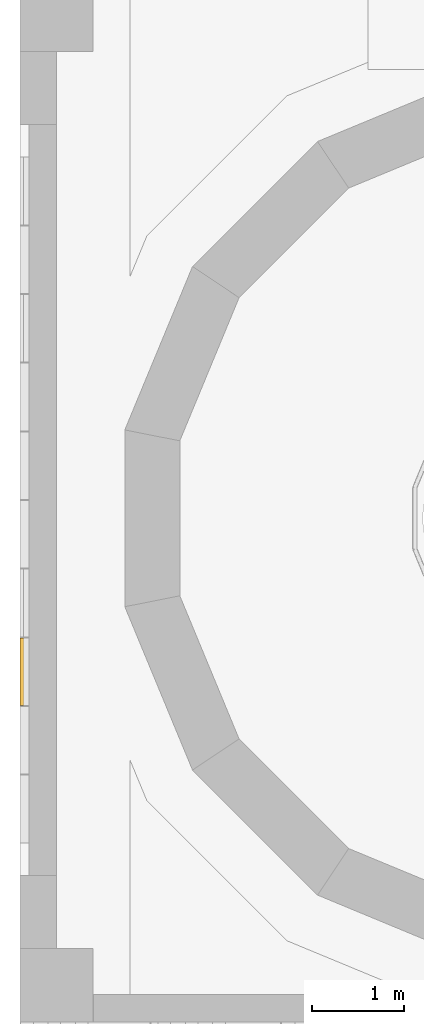
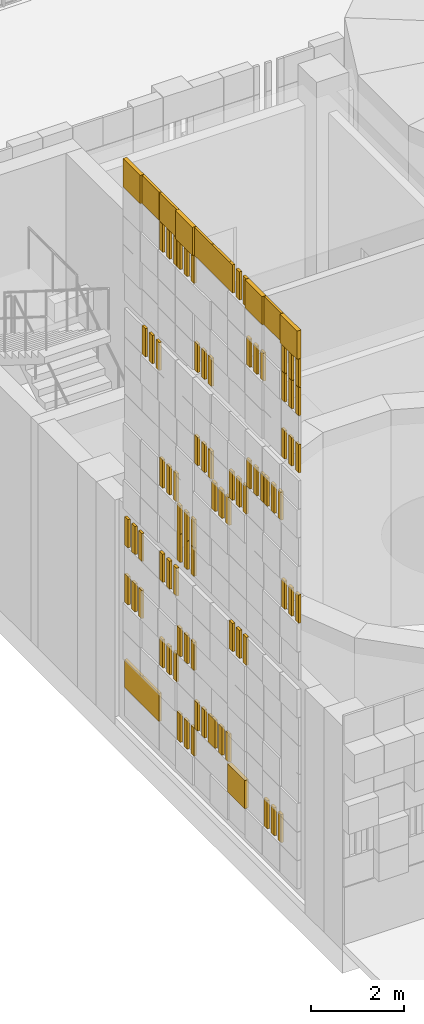
# One storey, part 72 of 125: 1 covering.
"""IFC4 building model written with IfcOpenShell, lengths in metres."""

from ifc_helpers import new_model, si_unit, direction, frame, origin, origin_2d, place, context, subcontext, project, spatial, rectangle, extrude, material, layer, layer_set, type_object, element, save


model = new_model("IFC4")

# Units and contexts
model_context = context("Model", 3, precision=1e-05, world=origin(), true_north=direction((0.0, 1.0)))
body_context = subcontext(model_context, "Body", "Model", "MODEL_VIEW")
ifc_project = project(units=[si_unit("LENGTHUNIT", "METRE"), si_unit("AREAUNIT", "SQUARE_METRE"), si_unit("VOLUMEUNIT", "CUBIC_METRE"), si_unit("PLANEANGLEUNIT", "RADIAN"), si_unit("MASSUNIT", "GRAM", prefix="KILO")], contexts=[model_context])

# Site, building, storey
site_placement = place(None, origin())
site = spatial("IfcSite", under=ifc_project, at=site_placement, CompositionType="ELEMENT")
building_placement = place(site_placement, origin())
building = spatial("IfcBuilding", under=site, at=building_placement, Name="Sun Court Science Centre", CompositionType="ELEMENT")
storey_placement = place(building_placement, origin())
storey = spatial("IfcBuildingStorey", under=building, at=storey_placement, Name="L00", CompositionType="ELEMENT", Elevation=0.0)

# Covering
ifc_material = material(Name="Terracotta jali", Category="masonry")
ifc_layer = layer(ifc_material, 0.06005859375)
ifc_layer_set = layer_set([ifc_layer], Name="Terracotta jali")
covering_type = type_object("IfcCoveringType", Name="Terracotta open jali panel", PredefinedType="CLADDING", material=ifc_layer_set)
covering_placement = place(storey_placement, origin())
element("IfcCovering", 1, at=covering_placement, inside=storey, type_object=covering_type, Name="Open jali pixel cladding west party wall L00", PredefinedType="CLADDING", context=body_context, shape_type="SweptSolid", body=[
    extrude(rectangle(XDim=0.139892578125, YDim=0.06005859375, at=origin_2d()), frame((0.070068359375, 8.77490234375, 0.97998046875), z_axis=(0.0, 0.0, 1.0), x_axis=(0.0, 1.0, 0.0)), (0.0, 0.0, 1.0), 0.739990234375),
    extrude(rectangle(XDim=0.139892578125, YDim=0.06005859375, at=origin_2d()), frame((0.070068359375, 9.074951171875, 0.97998046875), z_axis=(0.0, 0.0, 1.0), x_axis=(0.0, 1.0, 0.0)), (0.0, 0.0, 1.0), 0.739990234375),
    extrude(rectangle(XDim=0.139892578125, YDim=0.06005859375, at=origin_2d()), frame((0.070068359375, 9.375, 0.97998046875), z_axis=(0.0, 0.0, 1.0), x_axis=(0.0, 1.0, 0.0)), (0.0, 0.0, 1.0), 0.739990234375),
    extrude(rectangle(XDim=0.139892578125, YDim=0.06005859375, at=origin_2d()), frame((0.070068359375, 12.52490234375, 0.97998046875), z_axis=(0.0, 0.0, 1.0), x_axis=(0.0, 1.0, 0.0)), (0.0, 0.0, 1.0), 0.739990234375),
    extrude(rectangle(XDim=0.139892578125, YDim=0.06005859375, at=origin_2d()), frame((0.070068359375, 12.824951171875, 0.97998046875), z_axis=(0.0, 0.0, 1.0), x_axis=(0.0, 1.0, 0.0)), (0.0, 0.0, 1.0), 0.739990234375),
    extrude(rectangle(XDim=0.139892578125, YDim=0.06005859375, at=origin_2d()), frame((0.070068359375, 13.125, 0.97998046875), z_axis=(0.0, 0.0, 1.0), x_axis=(0.0, 1.0, 0.0)), (0.0, 0.0, 1.0), 0.739990234375),
    extrude(rectangle(XDim=0.139892578125, YDim=0.06005859375, at=origin_2d()), frame((0.070068359375, 11.02490234375, 1.72998046875), z_axis=(0.0, 0.0, 1.0), x_axis=(0.0, 1.0, 0.0)), (0.0, 0.0, 1.0), 0.739990234375),
    extrude(rectangle(XDim=0.139892578125, YDim=0.06005859375, at=origin_2d()), frame((0.070068359375, 11.324951171875, 1.72998046875), z_axis=(0.0, 0.0, 1.0), x_axis=(0.0, 1.0, 0.0)), (0.0, 0.0, 1.0), 0.739990234375),
    extrude(rectangle(XDim=0.139892578125, YDim=0.06005859375, at=origin_2d()), frame((0.070068359375, 11.625, 1.72998046875), z_axis=(0.0, 0.0, 1.0), x_axis=(0.0, 1.0, 0.0)), (0.0, 0.0, 1.0), 0.739990234375),
    extrude(rectangle(XDim=0.139892578125, YDim=0.06005859375, at=origin_2d()), frame((0.070068359375, 11.77490234375, 1.72998046875), z_axis=(0.0, 0.0, 1.0), x_axis=(0.0, 1.0, 0.0)), (0.0, 0.0, 1.0), 0.739990234375),
    extrude(rectangle(XDim=0.139892578125, YDim=0.06005859375, at=origin_2d()), frame((0.070068359375, 12.074951171875, 1.72998046875), z_axis=(0.0, 0.0, 1.0), x_axis=(0.0, 1.0, 0.0)), (0.0, 0.0, 1.0), 0.739990234375),
    extrude(rectangle(XDim=0.139892578125, YDim=0.06005859375, at=origin_2d()), frame((0.070068359375, 12.375, 1.72998046875), z_axis=(0.0, 0.0, 1.0), x_axis=(0.0, 1.0, 0.0)), (0.0, 0.0, 1.0), 0.739990234375),
    extrude(rectangle(XDim=0.139892578125, YDim=0.06005859375, at=origin_2d()), frame((0.070068359375, 13.27490234375, 2.47998046875), z_axis=(0.0, 0.0, 1.0), x_axis=(0.0, 1.0, 0.0)), (0.0, 0.0, 1.0), 0.739990234375),
    extrude(rectangle(XDim=0.139892578125, YDim=0.06005859375, at=origin_2d()), frame((0.070068359375, 13.574951171875, 2.47998046875), z_axis=(0.0, 0.0, 1.0), x_axis=(0.0, 1.0, 0.0)), (0.0, 0.0, 1.0), 0.739990234375),
    extrude(rectangle(XDim=0.139892578125, YDim=0.06005859375, at=origin_2d()), frame((0.070068359375, 13.875, 2.47998046875), z_axis=(0.0, 0.0, 1.0), x_axis=(0.0, 1.0, 0.0)), (0.0, 0.0, 1.0), 0.739990234375),
    extrude(rectangle(XDim=0.139892578125, YDim=0.06005859375, at=origin_2d()), frame((0.070068359375, 12.52490234375, 3.22998046875), z_axis=(0.0, 0.0, 1.0), x_axis=(0.0, 1.0, 0.0)), (0.0, 0.0, 1.0), 0.739990234375),
    extrude(rectangle(XDim=0.139892578125, YDim=0.06005859375, at=origin_2d()), frame((0.070068359375, 12.824951171875, 3.22998046875), z_axis=(0.0, 0.0, 1.0), x_axis=(0.0, 1.0, 0.0)), (0.0, 0.0, 1.0), 0.739990234375),
    extrude(rectangle(XDim=0.139892578125, YDim=0.06005859375, at=origin_2d()), frame((0.070068359375, 13.125, 3.22998046875), z_axis=(0.0, 0.0, 1.0), x_axis=(0.0, 1.0, 0.0)), (0.0, 0.0, 1.0), 0.739990234375),
    extrude(rectangle(XDim=0.139892578125, YDim=0.06005859375, at=origin_2d()), frame((0.070068359375, 14.77490234375, 3.22998046875), z_axis=(0.0, 0.0, 1.0), x_axis=(0.0, 1.0, 0.0)), (0.0, 0.0, 1.0), 0.739990234375),
    extrude(rectangle(XDim=0.139892578125, YDim=0.06005859375, at=origin_2d()), frame((0.070068359375, 15.074951171875, 3.22998046875), z_axis=(0.0, 0.0, 1.0), x_axis=(0.0, 1.0, 0.0)), (0.0, 0.0, 1.0), 0.739990234375),
    extrude(rectangle(XDim=0.139892578125, YDim=0.06005859375, at=origin_2d()), frame((0.070068359375, 15.375, 3.22998046875), z_axis=(0.0, 0.0, 1.0), x_axis=(0.0, 1.0, 0.0)), (0.0, 0.0, 1.0), 0.739990234375),
    extrude(rectangle(XDim=0.139892578125, YDim=0.06005859375, at=origin_2d()), frame((0.070068359375, 10.27490234375, 4.72998046875), z_axis=(0.0, 0.0, 1.0), x_axis=(0.0, 1.0, 0.0)), (0.0, 0.0, 1.0), 0.739990234375),
    extrude(rectangle(XDim=0.139892578125, YDim=0.06005859375, at=origin_2d()), frame((0.070068359375, 10.574951171875, 4.72998046875), z_axis=(0.0, 0.0, 1.0), x_axis=(0.0, 1.0, 0.0)), (0.0, 0.0, 1.0), 0.739990234375),
    extrude(rectangle(XDim=0.139892578125, YDim=0.06005859375, at=origin_2d()), frame((0.070068359375, 10.875, 4.72998046875), z_axis=(0.0, 0.0, 1.0), x_axis=(0.0, 1.0, 0.0)), (0.0, 0.0, 1.0), 0.739990234375),
    extrude(rectangle(XDim=0.139892578125, YDim=0.06005859375, at=origin_2d()), frame((0.070068359375, 13.27490234375, 4.72998046875), z_axis=(0.0, 0.0, 1.0), x_axis=(0.0, 1.0, 0.0)), (0.0, 0.0, 1.0), 0.739990234375),
    extrude(rectangle(XDim=0.139892578125, YDim=0.06005859375, at=origin_2d()), frame((0.070068359375, 13.574951171875, 4.72998046875), z_axis=(0.0, 0.0, 1.0), x_axis=(0.0, 1.0, 0.0)), (0.0, 0.0, 1.0), 0.739990234375),
    extrude(rectangle(XDim=0.139892578125, YDim=0.06005859375, at=origin_2d()), frame((0.070068359375, 13.875, 4.72998046875), z_axis=(0.0, 0.0, 1.0), x_axis=(0.0, 1.0, 0.0)), (0.0, 0.0, 1.0), 0.739990234375),
    extrude(rectangle(XDim=0.139892578125, YDim=0.06005859375, at=origin_2d()), frame((0.070068359375, 14.77490234375, 4.72998046875), z_axis=(0.0, 0.0, 1.0), x_axis=(0.0, 1.0, 0.0)), (0.0, 0.0, 1.0), 0.739990234375),
    extrude(rectangle(XDim=0.139892578125, YDim=0.06005859375, at=origin_2d()), frame((0.070068359375, 15.074951171875, 4.72998046875), z_axis=(0.0, 0.0, 1.0), x_axis=(0.0, 1.0, 0.0)), (0.0, 0.0, 1.0), 0.739990234375),
    extrude(rectangle(XDim=0.139892578125, YDim=0.06005859375, at=origin_2d()), frame((0.070068359375, 15.375, 4.72998046875), z_axis=(0.0, 0.0, 1.0), x_axis=(0.0, 1.0, 0.0)), (0.0, 0.0, 1.0), 0.739990234375),
    extrude(rectangle(XDim=0.139892578125, YDim=0.06005859375, at=origin_2d()), frame((0.070068359375, 12.52490234375, 5.705078125), z_axis=(0.0, 0.0, 1.0), x_axis=(0.0, 1.0, 0.0)), (0.0, 0.0, 1.0), 0.739990234375),
    extrude(rectangle(XDim=0.139892578125, YDim=0.06005859375, at=origin_2d()), frame((0.070068359375, 12.824951171875, 5.705078125), z_axis=(0.0, 0.0, 1.0), x_axis=(0.0, 1.0, 0.0)), (0.0, 0.0, 1.0), 0.739990234375),
    extrude(rectangle(XDim=0.139892578125, YDim=0.06005859375, at=origin_2d()), frame((0.070068359375, 13.125, 5.705078125), z_axis=(0.0, 0.0, 1.0), x_axis=(0.0, 1.0, 0.0)), (0.0, 0.0, 1.0), 0.739990234375),
    extrude(rectangle(XDim=0.139892578125, YDim=0.06005859375, at=origin_2d()), frame((0.070068359375, 12.52490234375, 6.455078125), z_axis=(0.0, 0.0, 1.0), x_axis=(0.0, 1.0, 0.0)), (0.0, 0.0, 1.0), 0.739990234375),
    extrude(rectangle(XDim=0.139892578125, YDim=0.06005859375, at=origin_2d()), frame((0.070068359375, 12.824951171875, 6.455078125), z_axis=(0.0, 0.0, 1.0), x_axis=(0.0, 1.0, 0.0)), (0.0, 0.0, 1.0), 0.739990234375),
    extrude(rectangle(XDim=0.139892578125, YDim=0.06005859375, at=origin_2d()), frame((0.070068359375, 13.125, 6.455078125), z_axis=(0.0, 0.0, 1.0), x_axis=(0.0, 1.0, 0.0)), (0.0, 0.0, 1.0), 0.739990234375),
    extrude(rectangle(XDim=0.139892578125, YDim=0.06005859375, at=origin_2d()), frame((0.070068359375, 8.02490234375, 7.205078125), z_axis=(0.0, 0.0, 1.0), x_axis=(0.0, 1.0, 0.0)), (0.0, 0.0, 1.0), 0.739990234375),
    extrude(rectangle(XDim=0.139892578125, YDim=0.06005859375, at=origin_2d()), frame((0.070068359375, 8.324951171875, 7.205078125), z_axis=(0.0, 0.0, 1.0), x_axis=(0.0, 1.0, 0.0)), (0.0, 0.0, 1.0), 0.739990234375),
    extrude(rectangle(XDim=0.139892578125, YDim=0.06005859375, at=origin_2d()), frame((0.070068359375, 8.625, 7.205078125), z_axis=(0.0, 0.0, 1.0), x_axis=(0.0, 1.0, 0.0)), (0.0, 0.0, 1.0), 0.739990234375),
    extrude(rectangle(XDim=0.139892578125, YDim=0.06005859375, at=origin_2d()), frame((0.070068359375, 13.27490234375, 7.205078125), z_axis=(0.0, 0.0, 1.0), x_axis=(0.0, 1.0, 0.0)), (0.0, 0.0, 1.0), 0.739990234375),
    extrude(rectangle(XDim=0.139892578125, YDim=0.06005859375, at=origin_2d()), frame((0.070068359375, 13.574951171875, 7.205078125), z_axis=(0.0, 0.0, 1.0), x_axis=(0.0, 1.0, 0.0)), (0.0, 0.0, 1.0), 0.739990234375),
    extrude(rectangle(XDim=0.139892578125, YDim=0.06005859375, at=origin_2d()), frame((0.070068359375, 13.875, 7.205078125), z_axis=(0.0, 0.0, 1.0), x_axis=(0.0, 1.0, 0.0)), (0.0, 0.0, 1.0), 0.739990234375),
    extrude(rectangle(XDim=0.139892578125, YDim=0.06005859375, at=origin_2d()), frame((0.070068359375, 11.02490234375, 7.955078125), z_axis=(0.0, 0.0, 1.0), x_axis=(0.0, 1.0, 0.0)), (0.0, 0.0, 1.0), 0.739990234375),
    extrude(rectangle(XDim=0.139892578125, YDim=0.06005859375, at=origin_2d()), frame((0.070068359375, 11.324951171875, 7.955078125), z_axis=(0.0, 0.0, 1.0), x_axis=(0.0, 1.0, 0.0)), (0.0, 0.0, 1.0), 0.739990234375),
    extrude(rectangle(XDim=0.139892578125, YDim=0.06005859375, at=origin_2d()), frame((0.070068359375, 11.625, 7.955078125), z_axis=(0.0, 0.0, 1.0), x_axis=(0.0, 1.0, 0.0)), (0.0, 0.0, 1.0), 0.739990234375),
    extrude(rectangle(XDim=0.139892578125, YDim=0.06005859375, at=origin_2d()), frame((0.070068359375, 10.27490234375, 8.705078125), z_axis=(0.0, 0.0, 1.0), x_axis=(0.0, 1.0, 0.0)), (0.0, 0.0, 1.0), 0.739990234375),
    extrude(rectangle(XDim=0.139892578125, YDim=0.06005859375, at=origin_2d()), frame((0.070068359375, 10.574951171875, 8.705078125), z_axis=(0.0, 0.0, 1.0), x_axis=(0.0, 1.0, 0.0)), (0.0, 0.0, 1.0), 0.739990234375),
    extrude(rectangle(XDim=0.139892578125, YDim=0.06005859375, at=origin_2d()), frame((0.070068359375, 10.875, 8.705078125), z_axis=(0.0, 0.0, 1.0), x_axis=(0.0, 1.0, 0.0)), (0.0, 0.0, 1.0), 0.739990234375),
    extrude(rectangle(XDim=0.139892578125, YDim=0.06005859375, at=origin_2d()), frame((0.070068359375, 11.77490234375, 8.705078125), z_axis=(0.0, 0.0, 1.0), x_axis=(0.0, 1.0, 0.0)), (0.0, 0.0, 1.0), 0.739990234375),
    extrude(rectangle(XDim=0.139892578125, YDim=0.06005859375, at=origin_2d()), frame((0.070068359375, 12.074951171875, 8.705078125), z_axis=(0.0, 0.0, 1.0), x_axis=(0.0, 1.0, 0.0)), (0.0, 0.0, 1.0), 0.739990234375),
    extrude(rectangle(XDim=0.139892578125, YDim=0.06005859375, at=origin_2d()), frame((0.070068359375, 12.375, 8.705078125), z_axis=(0.0, 0.0, 1.0), x_axis=(0.0, 1.0, 0.0)), (0.0, 0.0, 1.0), 0.739990234375),
    extrude(rectangle(XDim=0.139892578125, YDim=0.06005859375, at=origin_2d()), frame((0.070068359375, 8.77490234375, 9.455078125), z_axis=(0.0, 0.0, 1.0), x_axis=(0.0, 1.0, 0.0)), (0.0, 0.0, 1.0), 0.739990234375),
    extrude(rectangle(XDim=0.139892578125, YDim=0.06005859375, at=origin_2d()), frame((0.070068359375, 9.074951171875, 9.455078125), z_axis=(0.0, 0.0, 1.0), x_axis=(0.0, 1.0, 0.0)), (0.0, 0.0, 1.0), 0.739990234375),
    extrude(rectangle(XDim=0.139892578125, YDim=0.06005859375, at=origin_2d()), frame((0.070068359375, 9.375, 9.455078125), z_axis=(0.0, 0.0, 1.0), x_axis=(0.0, 1.0, 0.0)), (0.0, 0.0, 1.0), 0.739990234375),
    extrude(rectangle(XDim=0.139892578125, YDim=0.06005859375, at=origin_2d()), frame((0.070068359375, 9.52490234375, 9.455078125), z_axis=(0.0, 0.0, 1.0), x_axis=(0.0, 1.0, 0.0)), (0.0, 0.0, 1.0), 0.739990234375),
    extrude(rectangle(XDim=0.139892578125, YDim=0.06005859375, at=origin_2d()), frame((0.070068359375, 9.824951171875, 9.455078125), z_axis=(0.0, 0.0, 1.0), x_axis=(0.0, 1.0, 0.0)), (0.0, 0.0, 1.0), 0.739990234375),
    extrude(rectangle(XDim=0.139892578125, YDim=0.06005859375, at=origin_2d()), frame((0.070068359375, 10.125, 9.455078125), z_axis=(0.0, 0.0, 1.0), x_axis=(0.0, 1.0, 0.0)), (0.0, 0.0, 1.0), 0.739990234375),
    extrude(rectangle(XDim=0.139892578125, YDim=0.06005859375, at=origin_2d()), frame((0.070068359375, 14.02490234375, 10.205078125), z_axis=(0.0, 0.0, 1.0), x_axis=(0.0, 1.0, 0.0)), (0.0, 0.0, 1.0), 0.739990234375),
    extrude(rectangle(XDim=0.139892578125, YDim=0.06005859375, at=origin_2d()), frame((0.070068359375, 14.324951171875, 10.205078125), z_axis=(0.0, 0.0, 1.0), x_axis=(0.0, 1.0, 0.0)), (0.0, 0.0, 1.0), 0.739990234375),
    extrude(rectangle(XDim=0.139892578125, YDim=0.06005859375, at=origin_2d()), frame((0.070068359375, 14.625, 10.205078125), z_axis=(0.0, 0.0, 1.0), x_axis=(0.0, 1.0, 0.0)), (0.0, 0.0, 1.0), 0.739990234375),
    extrude(rectangle(XDim=0.139892578125, YDim=0.06005859375, at=origin_2d()), frame((0.070068359375, 8.02490234375, 11.15478515625), z_axis=(0.0, 0.0, 1.0), x_axis=(0.0, 1.0, 0.0)), (0.0, 0.0, 1.0), 0.739990234375),
    extrude(rectangle(XDim=0.139892578125, YDim=0.06005859375, at=origin_2d()), frame((0.070068359375, 8.324951171875, 11.15478515625), z_axis=(0.0, 0.0, 1.0), x_axis=(0.0, 1.0, 0.0)), (0.0, 0.0, 1.0), 0.739990234375),
    extrude(rectangle(XDim=0.139892578125, YDim=0.06005859375, at=origin_2d()), frame((0.070068359375, 8.625, 11.15478515625), z_axis=(0.0, 0.0, 1.0), x_axis=(0.0, 1.0, 0.0)), (0.0, 0.0, 1.0), 0.739990234375),
    extrude(rectangle(XDim=0.139892578125, YDim=0.06005859375, at=origin_2d()), frame((0.070068359375, 11.77490234375, 11.15478515625), z_axis=(0.0, 0.0, 1.0), x_axis=(0.0, 1.0, 0.0)), (0.0, 0.0, 1.0), 0.739990234375),
    extrude(rectangle(XDim=0.139892578125, YDim=0.06005859375, at=origin_2d()), frame((0.070068359375, 12.074951171875, 11.15478515625), z_axis=(0.0, 0.0, 1.0), x_axis=(0.0, 1.0, 0.0)), (0.0, 0.0, 1.0), 0.739990234375),
    extrude(rectangle(XDim=0.139892578125, YDim=0.06005859375, at=origin_2d()), frame((0.070068359375, 12.375, 11.15478515625), z_axis=(0.0, 0.0, 1.0), x_axis=(0.0, 1.0, 0.0)), (0.0, 0.0, 1.0), 0.739990234375),
    extrude(rectangle(XDim=0.139892578125, YDim=0.06005859375, at=origin_2d()), frame((0.070068359375, 8.02490234375, 12.65478515625), z_axis=(0.0, 0.0, 1.0), x_axis=(0.0, 1.0, 0.0)), (0.0, 0.0, 1.0), 0.739990234375),
    extrude(rectangle(XDim=0.139892578125, YDim=0.06005859375, at=origin_2d()), frame((0.070068359375, 8.324951171875, 12.65478515625), z_axis=(0.0, 0.0, 1.0), x_axis=(0.0, 1.0, 0.0)), (0.0, 0.0, 1.0), 0.739990234375),
    extrude(rectangle(XDim=0.139892578125, YDim=0.06005859375, at=origin_2d()), frame((0.070068359375, 8.625, 12.65478515625), z_axis=(0.0, 0.0, 1.0), x_axis=(0.0, 1.0, 0.0)), (0.0, 0.0, 1.0), 0.739990234375),
    extrude(rectangle(XDim=0.139892578125, YDim=0.06005859375, at=origin_2d()), frame((0.070068359375, 9.52490234375, 12.65478515625), z_axis=(0.0, 0.0, 1.0), x_axis=(0.0, 1.0, 0.0)), (0.0, 0.0, 1.0), 0.739990234375),
    extrude(rectangle(XDim=0.139892578125, YDim=0.06005859375, at=origin_2d()), frame((0.070068359375, 9.824951171875, 12.65478515625), z_axis=(0.0, 0.0, 1.0), x_axis=(0.0, 1.0, 0.0)), (0.0, 0.0, 1.0), 0.739990234375),
    extrude(rectangle(XDim=0.139892578125, YDim=0.06005859375, at=origin_2d()), frame((0.070068359375, 10.125, 12.65478515625), z_axis=(0.0, 0.0, 1.0), x_axis=(0.0, 1.0, 0.0)), (0.0, 0.0, 1.0), 0.739990234375),
    extrude(rectangle(XDim=0.139892578125, YDim=0.06005859375, at=origin_2d()), frame((0.070068359375, 8.02490234375, 13.40478515625), z_axis=(0.0, 0.0, 1.0), x_axis=(0.0, 1.0, 0.0)), (0.0, 0.0, 1.0), 0.739990234375),
    extrude(rectangle(XDim=0.139892578125, YDim=0.06005859375, at=origin_2d()), frame((0.070068359375, 8.324951171875, 13.40478515625), z_axis=(0.0, 0.0, 1.0), x_axis=(0.0, 1.0, 0.0)), (0.0, 0.0, 1.0), 0.739990234375),
    extrude(rectangle(XDim=0.139892578125, YDim=0.06005859375, at=origin_2d()), frame((0.070068359375, 8.625, 13.40478515625), z_axis=(0.0, 0.0, 1.0), x_axis=(0.0, 1.0, 0.0)), (0.0, 0.0, 1.0), 0.739990234375),
    extrude(rectangle(XDim=0.139892578125, YDim=0.06005859375, at=origin_2d()), frame((0.070068359375, 12.52490234375, 13.40478515625), z_axis=(0.0, 0.0, 1.0), x_axis=(0.0, 1.0, 0.0)), (0.0, 0.0, 1.0), 0.739990234375),
    extrude(rectangle(XDim=0.139892578125, YDim=0.06005859375, at=origin_2d()), frame((0.070068359375, 12.824951171875, 13.40478515625), z_axis=(0.0, 0.0, 1.0), x_axis=(0.0, 1.0, 0.0)), (0.0, 0.0, 1.0), 0.739990234375),
    extrude(rectangle(XDim=0.139892578125, YDim=0.06005859375, at=origin_2d()), frame((0.070068359375, 13.125, 13.40478515625), z_axis=(0.0, 0.0, 1.0), x_axis=(0.0, 1.0, 0.0)), (0.0, 0.0, 1.0), 0.739990234375),
    extrude(rectangle(XDim=0.139892578125, YDim=0.06005859375, at=origin_2d()), frame((0.070068359375, 13.27490234375, 13.40478515625), z_axis=(0.0, 0.0, 1.0), x_axis=(0.0, 1.0, 0.0)), (0.0, 0.0, 1.0), 0.739990234375),
    extrude(rectangle(XDim=0.139892578125, YDim=0.06005859375, at=origin_2d()), frame((0.070068359375, 13.574951171875, 13.40478515625), z_axis=(0.0, 0.0, 1.0), x_axis=(0.0, 1.0, 0.0)), (0.0, 0.0, 1.0), 0.739990234375),
    extrude(rectangle(XDim=0.139892578125, YDim=0.06005859375, at=origin_2d()), frame((0.070068359375, 13.875, 13.40478515625), z_axis=(0.0, 0.0, 1.0), x_axis=(0.0, 1.0, 0.0)), (0.0, 0.0, 1.0), 0.739990234375),
    extrude(rectangle(XDim=0.139892578125, YDim=0.06005859375, at=origin_2d()), frame((0.070068359375, 10.27490234375, 14.15478515625), z_axis=(0.0, 0.0, 1.0), x_axis=(0.0, 1.0, 0.0)), (0.0, 0.0, 1.0), 0.739990234375),
    extrude(rectangle(XDim=0.139892578125, YDim=0.06005859375, at=origin_2d()), frame((0.070068359375, 10.574951171875, 14.15478515625), z_axis=(0.0, 0.0, 1.0), x_axis=(0.0, 1.0, 0.0)), (0.0, 0.0, 1.0), 0.739990234375),
    extrude(rectangle(XDim=0.139892578125, YDim=0.06005859375, at=origin_2d()), frame((0.070068359375, 10.875, 14.15478515625), z_axis=(0.0, 0.0, 1.0), x_axis=(0.0, 1.0, 0.0)), (0.0, 0.0, 1.0), 0.739990234375),
    extrude(rectangle(XDim=0.739990234375, YDim=0.10009765625, at=origin_2d()), frame((0.050048828125, 8.324951171875, 14.15478515625), z_axis=(0.0, 0.0, 1.0), x_axis=(0.0, 1.0, 0.0)), (0.0, 0.0, 1.0), 0.739990234375),
    extrude(rectangle(XDim=0.739990234375, YDim=0.10009765625, at=origin_2d()), frame((0.050048828125, 9.824951171875, 14.15478515625), z_axis=(0.0, 0.0, 1.0), x_axis=(0.0, 1.0, 0.0)), (0.0, 0.0, 1.0), 0.739990234375),
    extrude(rectangle(XDim=0.739990234375, YDim=0.06005859375, at=origin_2d()), frame((0.070068359375, 11.324951171875, 14.15478515625), z_axis=(0.0, 0.0, 1.0), x_axis=(0.0, 1.0, 0.0)), (0.0, 0.0, 1.0), 0.739990234375),
    extrude(rectangle(XDim=0.739990234375, YDim=0.10009765625, at=origin_2d()), frame((0.050048828125, 12.824951171875, 14.15478515625), z_axis=(0.0, 0.0, 1.0), x_axis=(0.0, 1.0, 0.0)), (0.0, 0.0, 1.0), 0.739990234375),
    extrude(rectangle(XDim=0.739990234375, YDim=0.06005859375, at=origin_2d()), frame((0.070068359375, 15.074951171875, 0.97998046875), z_axis=(0.0, 0.0, 1.0), x_axis=(0.0, 1.0, 0.0)), (0.0, 0.0, 1.0), 0.739990234375),
    extrude(rectangle(XDim=0.739990234375, YDim=0.06005859375, at=origin_2d()), frame((0.070068359375, 9.074951171875, 14.15478515625), z_axis=(0.0, 0.0, 1.0), x_axis=(0.0, 1.0, 0.0)), (0.0, 0.0, 1.0), 0.739990234375),
    extrude(rectangle(XDim=0.739990234375, YDim=0.10009765625, at=origin_2d()), frame((0.050048828125, 15.074951171875, 14.15478515625), z_axis=(0.0, 0.0, 1.0), x_axis=(0.0, 1.0, 0.0)), (0.0, 0.0, 1.0), 0.739990234375),
    extrude(rectangle(XDim=0.739990234375, YDim=0.10009765625, at=origin_2d()), frame((0.050048828125, 10.574951171875, 0.97998046875), z_axis=(0.0, 0.0, 1.0), x_axis=(0.0, 1.0, 0.0)), (0.0, 0.0, 1.0), 0.739990234375),
    extrude(rectangle(XDim=0.739990234375, YDim=0.06005859375, at=origin_2d()), frame((0.070068359375, 14.324951171875, 0.97998046875), z_axis=(0.0, 0.0, 1.0), x_axis=(0.0, 1.0, 0.0)), (0.0, 0.0, 1.0), 0.739990234375),
    extrude(rectangle(XDim=0.739990234375, YDim=0.06005859375, at=origin_2d()), frame((0.070068359375, 13.574951171875, 14.15478515625), z_axis=(0.0, 0.0, 1.0), x_axis=(0.0, 1.0, 0.0)), (0.0, 0.0, 1.0), 0.739990234375),
    extrude(rectangle(XDim=0.739990234375, YDim=0.06005859375, at=origin_2d()), frame((0.070068359375, 14.324951171875, 14.15478515625), z_axis=(0.0, 0.0, 1.0), x_axis=(0.0, 1.0, 0.0)), (0.0, 0.0, 1.0), 0.739990234375),
    extrude(rectangle(XDim=0.739990234375, YDim=0.06005859375, at=origin_2d()), frame((0.070068359375, 12.074951171875, 14.15478515625), z_axis=(0.0, 0.0, 1.0), x_axis=(0.0, 1.0, 0.0)), (0.0, 0.0, 1.0), 0.739990234375),
])

save(model, "model.ifc")
